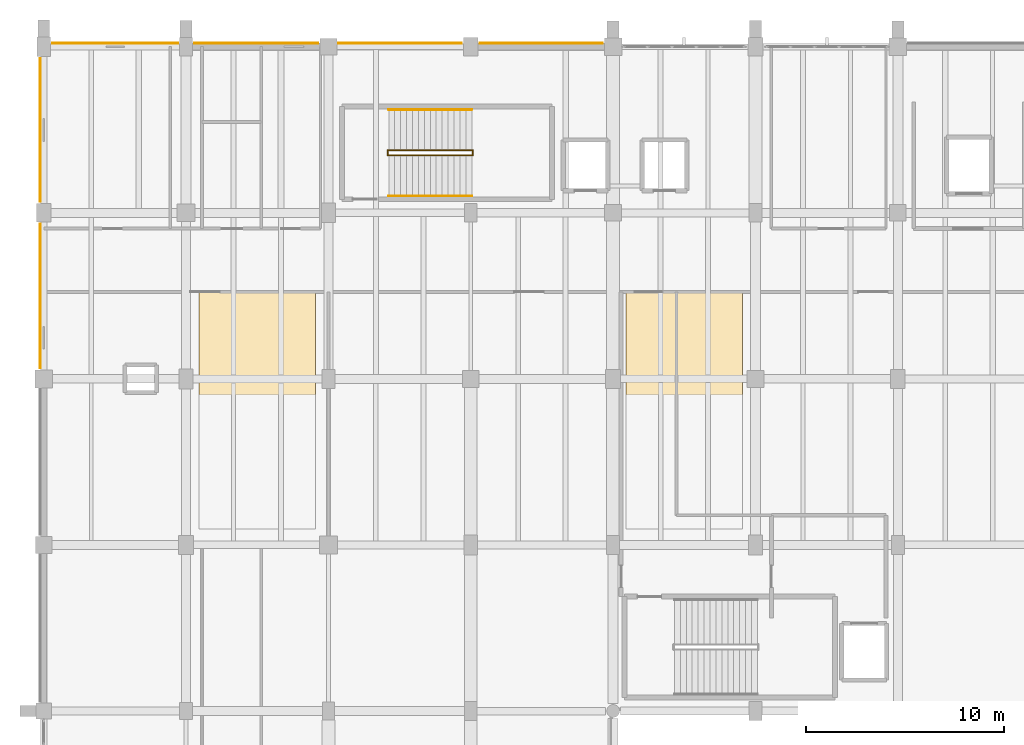
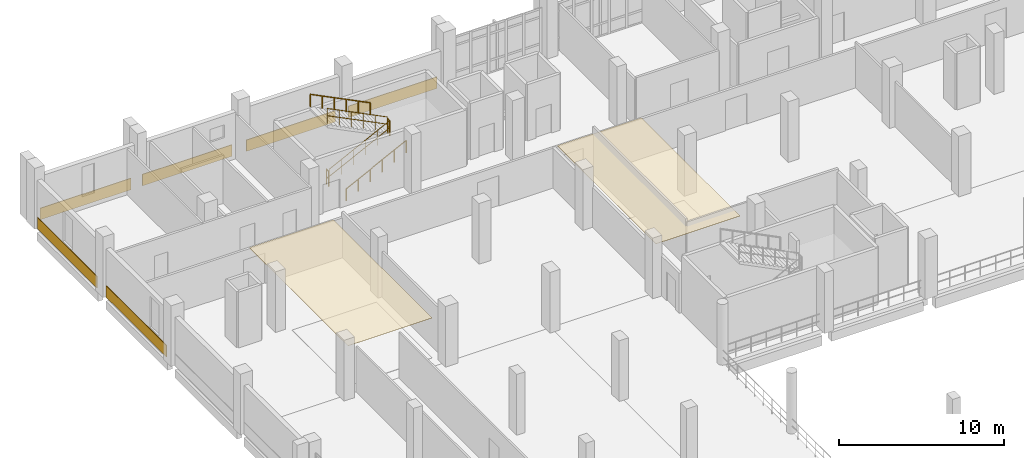
# One storey, part 130 of 134: 8 coverings, 6 railings.
"""IFC4 building model written with IfcOpenShell, lengths in metres."""

import ifcopenshell
import ifcopenshell.guid

model = None  # the IFC model being written
_history = None  # IfcOwnerHistory: only IFC2X3 demands one
_inside = {}  # id of a spatial element -> (the spatial element, [elements in it])
_under = {}  # id of a project, library or spatial element -> (it, [spatial elements below it])
_declared = {}  # id of a project -> (the project, [libraries it declares])
_typed = {}  # id of a type object -> (the type object, [elements of that type])
_made_of = {}  # id of a material, layer set ... -> (it, [elements and type objects made of it])


def new_model(schema):
    """Start an empty IFC model of exactly this schema.

    Asked for "IFC4X3", IfcOpenShell would pick the latest addendum, in which some entities
    have other attributes; the version numbers below select the first issue.
    IFC2X3 requires an IfcOwnerHistory on every rooted entity: one is made here for all.
    """
    global model, _history
    if schema == "IFC4X3":
        model = ifcopenshell.file(schema_version=(4, 3, 0, 0))
    else:
        model = ifcopenshell.file(schema=schema)
    _inside.clear()
    _under.clear()
    _declared.clear()
    _typed.clear()
    _made_of.clear()
    _history = None
    if model.schema == "IFC2X3":
        org = make("IfcOrganization", Name="unknown")
        user = make(
            "IfcPersonAndOrganization",
            ThePerson=make("IfcPerson", FamilyName="unknown"),
            TheOrganization=org,
        )
        app = make(
            "IfcApplication",
            ApplicationDeveloper=org,
            Version="unknown",
            ApplicationFullName="unknown",
            ApplicationIdentifier="unknown",
        )
        _history = make(
            "IfcOwnerHistory",
            OwningUser=user,
            OwningApplication=app,
            ChangeAction="ADDED",
            CreationDate=0,
        )
    return model


def make(cls, **values):
    """One entity of the class cls with the attributes given. An attribute that is None is left unset."""
    return model.create_entity(
        cls, **{name: value for name, value in values.items() if value is not None}
    )


def rooted(cls, **values):
    """An entity with a GlobalId (a new one), such as an element, a storey or a relation."""
    return make(cls, GlobalId=ifcopenshell.guid.new(), OwnerHistory=_history, **values)


def si_unit(unit_type, name, prefix=None):
    """IfcSIUnit, for example si_unit("LENGTHUNIT", "METRE", prefix="MILLI")."""
    return make("IfcSIUnit", UnitType=unit_type, Prefix=prefix, Name=name)


def assignment(units):
    """IfcUnitAssignment: the units of a project."""
    return None if units is None else make("IfcUnitAssignment", Units=units)


def point(xyz):
    """IfcCartesianPoint."""
    return None if xyz is None else make("IfcCartesianPoint", Coordinates=xyz)


def direction(xyz):
    """IfcDirection."""
    return None if xyz is None else make("IfcDirection", DirectionRatios=xyz)


def frame(location, z_axis=None, x_axis=None):
    """IfcAxis2Placement3D, a coordinate frame: its origin and axes. An axis left out is left unset."""
    return make(
        "IfcAxis2Placement3D",
        Location=point(location),
        Axis=direction(z_axis),
        RefDirection=direction(x_axis),
    )


def frame_2d(location, x_axis=None):
    """IfcAxis2Placement2D, a coordinate frame in the plane: its origin and x axis."""
    return make(
        "IfcAxis2Placement2D", Location=point(location), RefDirection=direction(x_axis)
    )


def origin():
    """The frame at (0, 0, 0) with its axes left unset."""
    return frame((0.0, 0.0, 0.0))


def origin_2d():
    """The frame at (0, 0) in the plane with its x axis left unset."""
    return frame_2d((0.0, 0.0))


def place(relative_to, where):
    """IfcLocalPlacement: puts the frame where relative to a parent placement (None: the world)."""
    return make(
        "IfcLocalPlacement", PlacementRelTo=relative_to, RelativePlacement=where
    )


def context(
    kind, dimensions, precision=None, world=None, true_north=None, identifier=None
):
    """IfcGeometricRepresentationContext, for example the 3D "Model" context."""
    return make(
        "IfcGeometricRepresentationContext",
        ContextIdentifier=identifier,
        ContextType=kind,
        CoordinateSpaceDimension=dimensions,
        Precision=precision,
        WorldCoordinateSystem=world,
        TrueNorth=true_north,
    )


def subcontext(parent, identifier, kind, view, scale=None):
    """IfcGeometricRepresentationSubContext, for example "Body" below "Model"."""
    return make(
        "IfcGeometricRepresentationSubContext",
        ContextIdentifier=identifier,
        ContextType=kind,
        ParentContext=parent,
        TargetScale=scale,
        TargetView=view,
    )


def project(units=None, contexts=None):
    """IfcProject with its units and contexts."""
    return rooted(
        "IfcProject",
        Name="project",
        RepresentationContexts=contexts,
        UnitsInContext=assignment(units),
    )


def spatial(cls, under=None, at=None, **own):
    """A site, building, storey or space (cls), placed at a placement, below another one or the project."""
    s = rooted(cls, ObjectPlacement=at, **own)
    if under is not None:
        _under.setdefault(under.id(), (under, []))[1].append(s)
    return s


def polyline(points):
    """IfcPolyline through the points."""
    return make("IfcPolyline", Points=[point(p) for p in points])


def profile(cls, at=None, kind="AREA", **sizes):
    """A parametric profile (cls). Its sizes go by their IFC names, for example OverallWidth=200.0."""
    return make(cls, ProfileType=kind, Position=at, **sizes)


def rectangle(**sizes):
    """IfcRectangleProfileDef."""
    return profile("IfcRectangleProfileDef", **sizes)


def circle(**sizes):
    """IfcCircleProfileDef."""
    return profile("IfcCircleProfileDef", **sizes)


def outline(outer, holes=None, kind="AREA"):
    """IfcArbitraryClosedProfileDef: a profile drawn as a closed curve; with holes, ...WithVoids."""
    if holes is None:
        return make("IfcArbitraryClosedProfileDef", ProfileType=kind, OuterCurve=outer)
    return make(
        "IfcArbitraryProfileDefWithVoids",
        ProfileType=kind,
        OuterCurve=outer,
        InnerCurves=holes,
    )


def extrude(swept, where, along, depth):
    """IfcExtrudedAreaSolid: the profile swept, set in the frame where, extruded along a direction by depth."""
    return make(
        "IfcExtrudedAreaSolid",
        SweptArea=swept,
        Position=where,
        ExtrudedDirection=direction(along),
        Depth=depth,
    )


def shape(context_of_items, identifier, shape_type, items):
    """IfcShapeRepresentation: the items that make up one representation, for example the "Body"."""
    return make(
        "IfcShapeRepresentation",
        ContextOfItems=context_of_items,
        RepresentationIdentifier=identifier,
        RepresentationType=shape_type,
        Items=items,
    )


def material(Name=None, Category=None):
    """IfcMaterial."""
    return make("IfcMaterial", Name=Name, Category=Category)


def layer(
    of_material, thickness, ventilated=None, Name=None, Category=None, Priority=None
):
    """IfcMaterialLayer: one layer of a wall or slab, of a material (None: an air gap)."""
    return make(
        "IfcMaterialLayer",
        Material=of_material,
        LayerThickness=thickness,
        IsVentilated=ventilated,
        Name=Name,
        Category=Category,
        Priority=Priority,
    )


def layer_set(layers, Name=None):
    """IfcMaterialLayerSet."""
    return make("IfcMaterialLayerSet", MaterialLayers=layers, LayerSetName=Name)


def made_of(thing, what):
    """Note that an element or type object is made of a material, layer set ...; save() writes the relation."""
    if what is not None:
        _made_of.setdefault(what.id(), (what, []))[1].append(thing)
    return thing


def type_object(cls, material=None, **own):
    """A type object (cls), such as IfcWallType, which elements share."""
    return made_of(rooted(cls, **own), material)


def element(
    cls,
    number,
    at=None,
    inside=None,
    cuts=None,
    type_object=None,
    material=None,
    context=None,
    identifier="Body",
    shape_type=None,
    held_by="IfcProductDefinitionShape",
    body=None,
    shapes=None,
    **own,
):
    """One element of the class cls, such as IfcWall. Its Tag is "e" and its number.

    at: its placement. inside: the storey or other place that contains it. cuts: it is an
    opening in that element (IfcRelVoidsElement). A single representation is given by context,
    identifier, shape_type and body (its items); several are given by shapes. held_by: the class
    of the entity that holds the representations. save() writes the other relations.
    """
    e = rooted(cls, Tag="e%d" % number, ObjectPlacement=at, **own)
    if body is not None:
        shapes = [shape(context, identifier, shape_type, body)]
    if shapes is not None:
        e.Representation = make(held_by, Representations=shapes)
    if inside is not None:
        _inside.setdefault(inside.id(), (inside, []))[1].append(e)
    if cuts is not None:
        rooted(
            "IfcRelVoidsElement", RelatingBuildingElement=cuts, RelatedOpeningElement=e
        )
    if type_object is not None:
        _typed.setdefault(type_object.id(), (type_object, []))[1].append(e)
    return made_of(e, material)


def aggregate(whole, parts):
    """IfcRelAggregates: a whole, such as a stair, and the parts it consists of."""
    return rooted("IfcRelAggregates", RelatingObject=whole, RelatedObjects=parts)


def save(model, path):
    """Write the relations noted so far, then the file.

    IfcRelAggregates (storeys below a building ...), IfcRelContainedInSpatialStructure (elements
    in a storey), IfcRelDefinesByType, IfcRelAssociatesMaterial and IfcRelDeclares: one each for
    every whole, place, type object, material and project.
    """
    for whole, parts in _under.values():
        aggregate(whole, parts)
    for where, things in _inside.values():
        rooted(
            "IfcRelContainedInSpatialStructure",
            RelatedElements=things,
            RelatingStructure=where,
        )
    for kind, things in _typed.values():
        rooted("IfcRelDefinesByType", RelatedObjects=things, RelatingType=kind)
    for what, things in _made_of.values():
        rooted("IfcRelAssociatesMaterial", RelatedObjects=things, RelatingMaterial=what)
    for by, libraries in _declared.values():
        rooted("IfcRelDeclares", RelatingContext=by, RelatedDefinitions=libraries)
    model.write(path)


model = new_model("IFC4")

# Units and contexts
model_context = context("Model", 3, precision=1e-05, world=origin(), true_north=direction((0.0, 1.0)))
body_context = subcontext(model_context, "Body", "Model", "MODEL_VIEW")
ifc_project = project(units=[si_unit("LENGTHUNIT", "METRE"), si_unit("AREAUNIT", "SQUARE_METRE"), si_unit("VOLUMEUNIT", "CUBIC_METRE"), si_unit("PLANEANGLEUNIT", "RADIAN"), si_unit("MASSUNIT", "GRAM", prefix="KILO")], contexts=[model_context])

# Site, building, storey
site_placement = place(None, origin())
site = spatial("IfcSite", under=ifc_project, at=site_placement, CompositionType="ELEMENT")
building_placement = place(site_placement, origin())
building = spatial("IfcBuilding", under=site, at=building_placement, Name="Kalluvel Institute of Natural Sciences", CompositionType="ELEMENT")
storey_placement = place(building_placement, frame((0.0, 0.0, 5.39990234375)))
storey = spatial("IfcBuildingStorey", under=building, at=storey_placement, Name="L01", CompositionType="ELEMENT", Elevation=5.39990234375)

# Coverings
ifc_material_1 = material(Name="Perforated Mineral-Fibre Acoustic Tile", Category="gypsum")
ifc_layer_1 = layer(ifc_material_1, 0.02490234375)
ifc_layer_set_1 = layer_set([ifc_layer_1], Name="Perforated Mineral-Fibre Acoustic Tile")
covering_type_1 = type_object("IfcCoveringType", Name="COV-CEIL-600", PredefinedType="CEILING", material=ifc_layer_set_1)
covering_1_placement = place(storey_placement, frame((0.0, 0.0, 2.9501953125)))
element("IfcCovering", 1, at=covering_1_placement, inside=storey, type_object=covering_type_1, Name="L01 laboratory acoustic ceiling panel 3", PredefinedType="CEILING", context=body_context, shape_type="SweptSolid", body=[
    extrude(outline(polyline([(21.85009765625, 103.60009765625), (27.75, 103.60009765625), (27.75, 115.60009765625), (21.85009765625, 115.60009765625), (21.85009765625, 103.60009765625)])), origin(), (0.0, 0.0, 1.0), 0.02490234375),
])
covering_2_placement = place(storey_placement, frame((0.0, 0.0, 2.9501953125)))
element("IfcCovering", 2, at=covering_2_placement, inside=storey, type_object=covering_type_1, Name="L01 laboratory acoustic ceiling panel 4", PredefinedType="CEILING", context=body_context, shape_type="SweptSolid", body=[
    extrude(outline(polyline([(43.449951171875, 103.60009765625), (49.35009765625, 103.60009765625), (49.35009765625, 115.60009765625), (43.449951171875, 115.60009765625), (43.449951171875, 103.60009765625)])), origin(), (0.0, 0.0, 1.0), 0.02490234375),
])
ifc_material_2 = material(Name="Sadarahalli Grey Granite Ashlar Concrete M40", Category="masonry")
ifc_layer_2 = layer(ifc_material_2, 0.044921875)
ifc_layer_set_2 = layer_set([ifc_layer_2], Name="Sadarahalli Grey Granite Ashlar Concrete M40")
covering_type_2 = type_object("IfcCoveringType", Name="COV-CLAD-STONE", PredefinedType="CLADDING", material=ifc_layer_set_2)
covering_3_placement = place(storey_placement, frame((17.612548828125, 128.179931640625, 0.025146484375), z_axis=(0.0, 0.0, 1.0), x_axis=(1.0, 0.0, 0.0)))
element("IfcCovering", 3, at=covering_3_placement, inside=storey, type_object=covering_type_2, Name="L01 Sadarahalli granite plinth spandrel cladding 14", PredefinedType="CLADDING", context=body_context, shape_type="SweptSolid", body=[
    extrude(rectangle(XDim=6.364990234375, YDim=0.044921875, at=origin_2d()), origin(), (0.0, 0.0, 1.0), 0.85009765625),
])
covering_4_placement = place(storey_placement, frame((24.75, 128.179931640625, 0.025146484375), z_axis=(0.0, 0.0, 1.0), x_axis=(1.0, 0.0, 0.0)))
element("IfcCovering", 4, at=covering_4_placement, inside=storey, type_object=covering_type_2, Name="L01 Sadarahalli granite plinth spandrel cladding 15", PredefinedType="CLADDING", context=body_context, shape_type="SweptSolid", body=[
    extrude(rectangle(XDim=6.2900390625, YDim=0.044921875, at=origin_2d()), origin(), (0.0, 0.0, 1.0), 0.85009765625),
])
covering_5_placement = place(storey_placement, frame((32.02490234375, 128.179931640625, 0.025146484375), z_axis=(0.0, 0.0, 1.0), x_axis=(1.0, 0.0, 0.0)))
element("IfcCovering", 5, at=covering_5_placement, inside=storey, type_object=covering_type_2, Name="L01 Sadarahalli granite plinth spandrel cladding 16", PredefinedType="CLADDING", context=body_context, shape_type="SweptSolid", body=[
    extrude(rectangle(XDim=6.239990234375, YDim=0.044921875, at=origin_2d()), origin(), (0.0, 0.0, 1.0), 0.85009765625),
])
covering_6_placement = place(storey_placement, frame((39.16259765625, 128.179931640625, 0.025146484375), z_axis=(0.0, 0.0, 1.0), x_axis=(1.0, 0.0, 0.0)))
element("IfcCovering", 6, at=covering_6_placement, inside=storey, type_object=covering_type_2, Name="L01 Sadarahalli granite plinth spandrel cladding 17", PredefinedType="CLADDING", context=body_context, shape_type="SweptSolid", body=[
    extrude(rectangle(XDim=6.215087890625, YDim=0.044921875, at=origin_2d()), origin(), (0.0, 0.0, 1.0), 0.85009765625),
])
covering_7_placement = place(storey_placement, frame((13.820068359375, 115.387451171875, 0.025146484375), z_axis=(0.0, 0.0, 1.0), x_axis=(0.0, 1.0, 0.0)))
element("IfcCovering", 7, at=covering_7_placement, inside=storey, type_object=covering_type_2, Name="L01 Sadarahalli granite plinth spandrel cladding 23", PredefinedType="CLADDING", context=body_context, shape_type="SweptSolid", body=[
    extrude(rectangle(XDim=7.31494140625, YDim=0.044921875, at=origin_2d()), origin(), (0.0, 0.0, 1.0), 0.85009765625),
])
covering_8_placement = place(storey_placement, frame((13.820068359375, 123.78759765625, 0.025146484375), z_axis=(0.0, 0.0, 1.0), x_axis=(0.0, 1.0, 0.0)))
element("IfcCovering", 8, at=covering_8_placement, inside=storey, type_object=covering_type_2, Name="L01 Sadarahalli granite plinth spandrel cladding 24", PredefinedType="CLADDING", context=body_context, shape_type="SweptSolid", body=[
    extrude(rectangle(XDim=7.264892578125, YDim=0.044921875, at=origin_2d()), origin(), (0.0, 0.0, 1.0), 0.85009765625),
])

# Railings
ifc_material_3 = material(Name="Galvanized Fire-Rated Steel", Category="steel")
railing_type_1 = type_object("IfcRailingType", Name="RL-GD-STAIR", PredefinedType="BALUSTRADE", material=ifc_material_3)
railing_1_placement = place(storey_placement, frame((31.449951171875, 122.510009765625, 0.150146484375)))
element("IfcRailing", 9, at=railing_1_placement, inside=storey, type_object=railing_type_1, Name="L01 ST1 stair guard 1", PredefinedType="BALUSTRADE", context=body_context, shape_type="SweptSolid", body=[
    extrude(circle(Radius=0.02392578125, at=origin_2d()), frame((0.0, 0.0, 1.09619140625), z_axis=(0.894437589381, 0.0, 0.447192798132), x_axis=(0.0, 1.0, 0.0)), (0.0, 0.0, 1.0), 4.695556640625),
    extrude(circle(Radius=0.02392578125, at=origin_2d()), frame((0.0, 0.0, 0.56005859375), z_axis=(0.894437589381, 0.0, 0.447192798132), x_axis=(0.0, 1.0, 0.0)), (0.0, 0.0, 1.0), 4.695556640625),
    extrude(circle(Radius=0.02099609375, at=origin_2d()), origin(), (0.0, 0.0, 1.0), 1.072021484375),
    extrude(circle(Radius=0.02099609375, at=origin_2d()), frame((0.840087890625, 0.0, 0.419921875)), (0.0, 0.0, 1.0), 1.072021484375),
    extrude(circle(Radius=0.02099609375, at=origin_2d()), frame((1.679931640625, 0.0, 0.83984375)), (0.0, 0.0, 1.0), 1.072021484375),
    extrude(circle(Radius=0.02099609375, at=origin_2d()), frame((2.52001953125, 0.0, 1.260009765625)), (0.0, 0.0, 1.0), 1.072021484375),
    extrude(circle(Radius=0.02099609375, at=origin_2d()), frame((3.35986328125, 0.0, 1.679931640625)), (0.0, 0.0, 1.0), 1.072021484375),
    extrude(circle(Radius=0.02099609375, at=origin_2d()), frame((4.199951171875, 0.0, 2.099853515625)), (0.0, 0.0, 1.0), 1.072021484375),
])
railing_2_placement = place(storey_placement, frame((35.699951171875, 122.4951171875, 2.25)))
element("IfcRailing", 10, at=railing_2_placement, inside=storey, type_object=railing_type_1, Name="L01 ST1 stair guard 2", PredefinedType="BALUSTRADE", context=body_context, shape_type="SweptSolid", body=[
    extrude(circle(Radius=0.02392578125, at=origin_2d()), frame((0.0, 0.0, 1.09619140625), z_axis=(0.0, 1.0, 0.0), x_axis=(-1.0, 0.0, 0.0)), (0.0, 0.0, 1.0), 0.27978515625),
    extrude(circle(Radius=0.02392578125, at=origin_2d()), frame((0.0, 0.0, 0.56005859375), z_axis=(0.0, 1.0, 0.0), x_axis=(-1.0, 0.0, 0.0)), (0.0, 0.0, 1.0), 0.27978515625),
    extrude(circle(Radius=0.02099609375, at=origin_2d()), origin(), (0.0, 0.0, 1.0), 1.072021484375),
    extrude(circle(Radius=0.02099609375, at=origin_2d()), frame((0.0, 0.27978515625, 0.0)), (0.0, 0.0, 1.0), 1.072021484375),
])
railing_3_placement = place(storey_placement, frame((35.64990234375, 122.760009765625, 2.400146484375)))
element("IfcRailing", 11, at=railing_3_placement, inside=storey, type_object=railing_type_1, Name="L01 ST1 stair guard 3", PredefinedType="BALUSTRADE", context=body_context, shape_type="SweptSolid", body=[
    extrude(circle(Radius=0.02392578125, at=origin_2d()), frame((0.0, 0.0, 1.09619140625), z_axis=(-0.894437589381, 0.0, 0.447192798132), x_axis=(0.0, -1.0, 0.0)), (0.0, 0.0, 1.0), 4.695556640625),
    extrude(circle(Radius=0.02392578125, at=origin_2d()), frame((0.0, 0.0, 0.56005859375), z_axis=(-0.894437589381, 0.0, 0.447192798132), x_axis=(0.0, -1.0, 0.0)), (0.0, 0.0, 1.0), 4.695556640625),
    extrude(circle(Radius=0.02099609375, at=origin_2d()), origin(), (0.0, 0.0, 1.0), 1.072021484375),
    extrude(circle(Radius=0.02099609375, at=origin_2d()), frame((-0.840087890625, 0.0, 0.419921875)), (0.0, 0.0, 1.0), 1.072021484375),
    extrude(circle(Radius=0.02099609375, at=origin_2d()), frame((-1.679931640625, 0.0, 0.83984375)), (0.0, 0.0, 1.0), 1.072021484375),
    extrude(circle(Radius=0.02099609375, at=origin_2d()), frame((-2.52001953125, 0.0, 1.260009765625)), (0.0, 0.0, 1.0), 1.072021484375),
    extrude(circle(Radius=0.02099609375, at=origin_2d()), frame((-3.35986328125, 0.0, 1.679931640625)), (0.0, 0.0, 1.0), 1.072021484375),
    extrude(circle(Radius=0.02099609375, at=origin_2d()), frame((-4.199951171875, 0.0, 2.099853515625)), (0.0, 0.0, 1.0), 1.072021484375),
])
railing_4_placement = place(storey_placement, frame((31.39990234375, 122.4951171875, 0.0)))
element("IfcRailing", 12, at=railing_4_placement, inside=storey, type_object=railing_type_1, Name="L01 ST1 stair guard 4", PredefinedType="BALUSTRADE", context=body_context, shape_type="SweptSolid", body=[
    extrude(circle(Radius=0.02392578125, at=origin_2d()), frame((0.0, 0.0, 1.09619140625), z_axis=(0.0, 1.0, 0.0), x_axis=(-1.0, 0.0, 0.0)), (0.0, 0.0, 1.0), 0.27978515625),
    extrude(circle(Radius=0.02392578125, at=origin_2d()), frame((0.0, 0.0, 0.56005859375), z_axis=(0.0, 1.0, 0.0), x_axis=(-1.0, 0.0, 0.0)), (0.0, 0.0, 1.0), 0.27978515625),
    extrude(circle(Radius=0.02099609375, at=origin_2d()), origin(), (0.0, 0.0, 1.0), 1.072021484375),
    extrude(circle(Radius=0.02099609375, at=origin_2d()), frame((0.0, 0.27978515625, 0.0)), (0.0, 0.0, 1.0), 1.072021484375),
])
railing_type_2 = type_object("IfcRailingType", Name="RL-HR-STAIR", PredefinedType="HANDRAIL", material=ifc_material_3)
railing_5_placement = place(storey_placement, frame((31.449951171875, 120.449951171875, 0.150146484375)))
element("IfcRailing", 13, at=railing_5_placement, inside=storey, type_object=railing_type_2, Name="L01 ST1 stair handrail 1", PredefinedType="HANDRAIL", context=body_context, shape_type="SweptSolid", body=[
    extrude(circle(Radius=0.02392578125, at=origin_2d()), frame((0.0, 0.0, 0.89599609375), z_axis=(0.894437589381, 0.0, 0.447192798132), x_axis=(0.0, 1.0, 0.0)), (0.0, 0.0, 1.0), 4.695556640625),
    extrude(circle(Radius=0.02099609375, at=origin_2d()), origin(), (0.0, 0.0, 1.0), 0.871826171875),
    extrude(circle(Radius=0.02099609375, at=origin_2d()), frame((0.840087890625, 0.0, 0.419921875)), (0.0, 0.0, 1.0), 0.871826171875),
    extrude(circle(Radius=0.02099609375, at=origin_2d()), frame((1.679931640625, 0.0, 0.83984375)), (0.0, 0.0, 1.0), 0.871826171875),
    extrude(circle(Radius=0.02099609375, at=origin_2d()), frame((2.52001953125, 0.0, 1.260009765625)), (0.0, 0.0, 1.0), 0.871826171875),
    extrude(circle(Radius=0.02099609375, at=origin_2d()), frame((3.35986328125, 0.0, 1.679931640625)), (0.0, 0.0, 1.0), 0.871826171875),
    extrude(circle(Radius=0.02099609375, at=origin_2d()), frame((4.199951171875, 0.0, 2.099853515625)), (0.0, 0.0, 1.0), 0.871826171875),
])
railing_6_placement = place(storey_placement, frame((35.64990234375, 124.820068359375, 2.400146484375)))
element("IfcRailing", 14, at=railing_6_placement, inside=storey, type_object=railing_type_2, Name="L01 ST1 stair handrail 2", PredefinedType="HANDRAIL", context=body_context, shape_type="SweptSolid", body=[
    extrude(circle(Radius=0.02392578125, at=origin_2d()), frame((0.0, 0.0, 0.89599609375), z_axis=(-0.894437589381, 0.0, 0.447192798132), x_axis=(0.0, -1.0, 0.0)), (0.0, 0.0, 1.0), 4.695556640625),
    extrude(circle(Radius=0.02099609375, at=origin_2d()), origin(), (0.0, 0.0, 1.0), 0.871826171875),
    extrude(circle(Radius=0.02099609375, at=origin_2d()), frame((-0.840087890625, 0.0, 0.419921875)), (0.0, 0.0, 1.0), 0.871826171875),
    extrude(circle(Radius=0.02099609375, at=origin_2d()), frame((-1.679931640625, 0.0, 0.83984375)), (0.0, 0.0, 1.0), 0.871826171875),
    extrude(circle(Radius=0.02099609375, at=origin_2d()), frame((-2.52001953125, 0.0, 1.260009765625)), (0.0, 0.0, 1.0), 0.871826171875),
    extrude(circle(Radius=0.02099609375, at=origin_2d()), frame((-3.35986328125, 0.0, 1.679931640625)), (0.0, 0.0, 1.0), 0.871826171875),
    extrude(circle(Radius=0.02099609375, at=origin_2d()), frame((-4.199951171875, 0.0, 2.099853515625)), (0.0, 0.0, 1.0), 0.871826171875),
])

save(model, "model.ifc")
